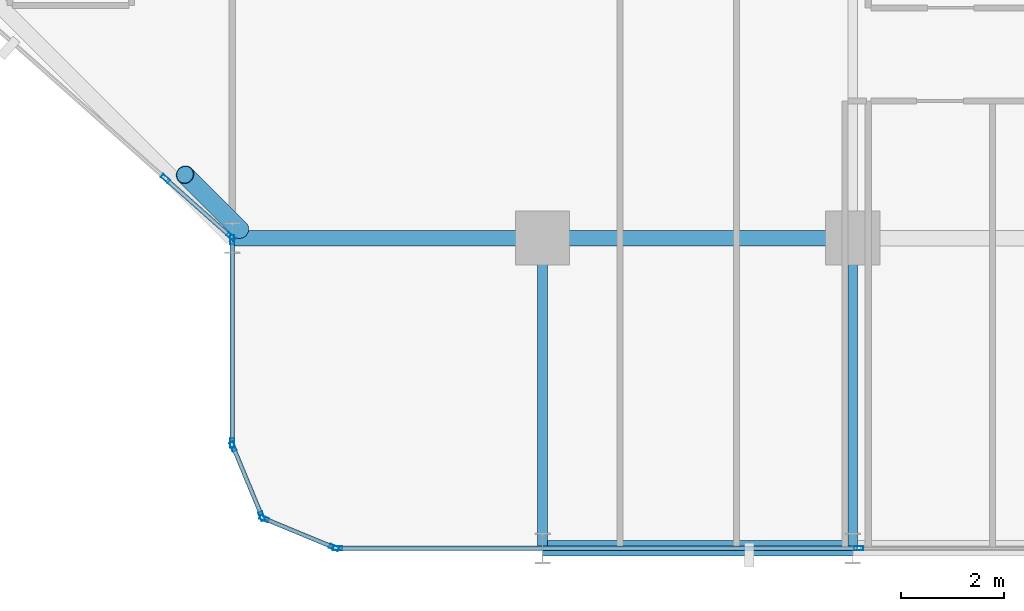
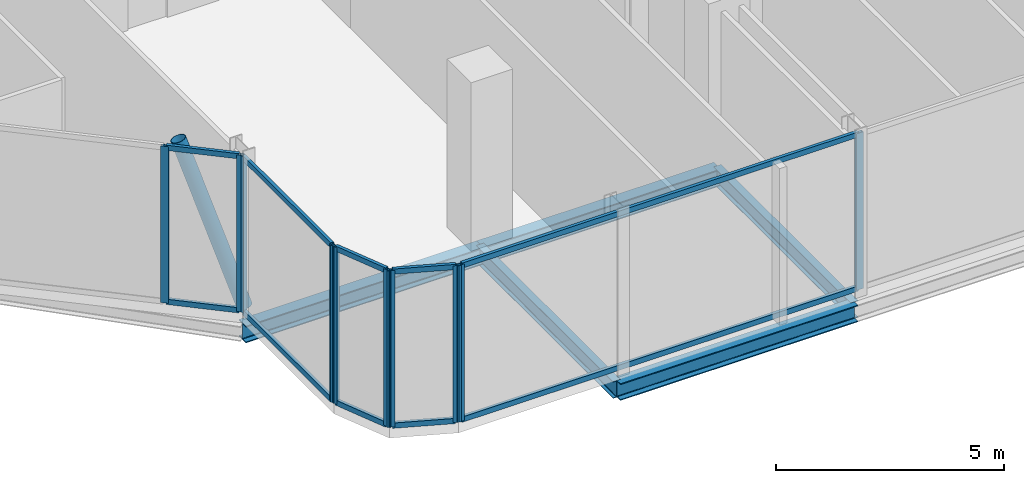
# One storey, part 4 of 30: 21 members, 5 beams, 5 elements without a shape of their own.
"""IFC4 building model written with IfcOpenShell, lengths in metres."""

from ifc_helpers import new_model, si_unit, direction, frame, origin, origin_2d, place, context, subcontext, project, spatial, hollow_rectangle, hollow_circle, i_section, extrude, material, layer, layer_set, material_profile, profile_set, type_object, element, aggregate, save


model = new_model("IFC4")

# Units and contexts
model_context = context("Model", 3, precision=1e-05, world=origin(), true_north=direction((0.0, 1.0)))
body_context = subcontext(model_context, "Body", "Model", "MODEL_VIEW")
ifc_project = project(units=[si_unit("LENGTHUNIT", "METRE"), si_unit("AREAUNIT", "SQUARE_METRE"), si_unit("VOLUMEUNIT", "CUBIC_METRE"), si_unit("PLANEANGLEUNIT", "RADIAN"), si_unit("MASSUNIT", "GRAM", prefix="KILO")], contexts=[model_context])

# Site, building, storey
site_placement = place(None, origin())
site = spatial("IfcSite", under=ifc_project, at=site_placement, CompositionType="ELEMENT")
building_placement = place(site_placement, origin())
building = spatial("IfcBuilding", under=site, at=building_placement, Name="Keshet Zoharim Tower", CompositionType="ELEMENT")
storey_placement = place(building_placement, frame((0.0, 0.0, 86.39990234375)))
storey = spatial("IfcBuildingStorey", under=building, at=storey_placement, Name="L20", CompositionType="ELEMENT", Elevation=86.39990234375)

# Beams
ifc_material_1 = material(Name="Steel S355", Category="steel")
ifc_material_profile_1 = material_profile(ifc_material_1, i_section(OverallWidth=0.18994140625, OverallDepth=0.449951171875, WebThickness=0.009521484375, FlangeThickness=0.0146484375, FilletRadius=0.02099609375, at=origin_2d()), Name="IPE450")
ifc_profile_set_1 = profile_set([ifc_material_profile_1], Name="Steel S355")
beam_type_1 = type_object("IfcBeamType", Name="BM-PRI-IP450", PredefinedType="BEAM", material=ifc_profile_set_1)
for number, where, z_axis, x_axis, name in (
    (1, (27.0, 0.699951171875, -0.539794921875), (0.0, 1.0, 0.0), (-1.0, 0.0, 0.0), "L20 Primary Girder Y-004"),
    (2, (33.0, 0.699951171875, -0.539794921875), (0.0, 1.0, 0.0), (-1.0, 0.0, 0.0), "L20 Primary Girder Y-005"),
):
    element("IfcBeam", number, at=place(storey_placement, frame(where, z_axis=z_axis, x_axis=x_axis)), inside=storey, type_object=beam_type_1, Name=name, PredefinedType="BEAM", context=body_context, shape_type="SweptSolid", body=[
        extrude(i_section(OverallWidth=0.18994140625, OverallDepth=0.449951171875, WebThickness=0.009521484375, FlangeThickness=0.0146484375, FilletRadius=0.02099609375, at=origin_2d()), origin(), (0.0, 0.0, 1.0), 6.0),
    ])
ifc_material_profile_2 = material_profile(ifc_material_1, i_section(OverallWidth=0.300048828125, OverallDepth=0.449951171875, WebThickness=0.013916015625, FlangeThickness=0.02587890625, FilletRadius=0.027099609375, at=origin_2d()), Name="HEB450")
ifc_profile_set_2 = profile_set([ifc_material_profile_2], Name="Steel S355")
beam_type_2 = type_object("IfcBeamType", Name="BM-WEB-HB450", PredefinedType="BEAM", material=ifc_profile_set_2)
for number, where, z_axis, x_axis, name in (
    (3, (27.0, 0.699951171875, -0.539794921875), (1.0, 0.0, 0.0), (0.0, 1.0, 0.0), "L20 Primary Girder X-001"),
    (4, (21.0, 6.699951171875, -0.539794921875), (1.0, 0.0, 0.0), (0.0, 1.0, 0.0), "L20 Primary Girder X-005"),
    (5, (27.0, 6.699951171875, -0.539794921875), (1.0, 0.0, 0.0), (0.0, 1.0, 0.0), "L20 Primary Girder X-006"),
):
    element("IfcBeam", number, at=place(storey_placement, frame(where, z_axis=z_axis, x_axis=x_axis)), inside=storey, type_object=beam_type_2, Name=name, PredefinedType="BEAM", context=body_context, shape_type="SweptSolid", body=[
        extrude(i_section(OverallWidth=0.300048828125, OverallDepth=0.449951171875, WebThickness=0.013916015625, FlangeThickness=0.02587890625, FilletRadius=0.027099609375, at=origin_2d()), origin(), (0.0, 0.0, 1.0), 6.0),
    ])

# Curtain wall, members
ifc_material_2 = material(Name="Aluminium 6063-T6", Category="aluminium")
ifc_layer = layer(ifc_material_2, 0.159912109375)
ifc_layer_set = layer_set([ifc_layer], Name="Aluminium 6063-T6")
curtain_wall_type = type_object("IfcCurtainWallType", Name="CW-SYS-03", PredefinedType="NOTDEFINED", material=ifc_layer_set)
curtain_wall_1_placement = place(storey_placement, origin())
curtain_wall_1 = element("IfcCurtainWall", 6, at=curtain_wall_1_placement, inside=storey, type_object=curtain_wall_type, Name="L20 Unitised Curtain Wall 03 Part 3", PredefinedType="NOTDEFINED")
ifc_material_profile_3 = material_profile(ifc_material_2, hollow_rectangle(XDim=0.080078125, YDim=0.179931640625, WallThickness=0.00439453125, at=origin_2d()), Name="MUL-80x180")
ifc_profile_set_3 = profile_set([ifc_material_profile_3], Name="Aluminium 6063-T6")
member_type_1 = type_object("IfcMemberType", Name="CWM-M18", PredefinedType="MULLION", material=ifc_profile_set_3)
member_1_placement = place(storey_placement, frame((33.1162109375, 0.699951171875, 0.0), z_axis=(0.0, 0.0, 1.0), x_axis=(0.0, -1.0, 0.0)))
member_1 = element("IfcMember", 7, at=member_1_placement, type_object=member_type_1, Name="CW-03 mullion 2", PredefinedType="MULLION", context=body_context, shape_type="SweptSolid", body=[
    extrude(hollow_rectangle(XDim=0.080078125, YDim=0.179931640625, WallThickness=0.00439453125, at=origin_2d()), origin(), (0.0, 0.0, 1.0), 4.18505859375),
])
member_2_placement = place(storey_placement, frame((23.034912109375, 0.699951171875, 0.0), z_axis=(0.0, 0.0, 1.0), x_axis=(0.0, -1.0, 0.0)))
member_2 = element("IfcMember", 8, at=member_2_placement, type_object=member_type_1, Name="CW-03 mullion 3", PredefinedType="MULLION", context=body_context, shape_type="SweptSolid", body=[
    extrude(hollow_rectangle(XDim=0.080078125, YDim=0.179931640625, WallThickness=0.00439453125, at=origin_2d()), origin(), (0.0, 0.0, 1.0), 4.18505859375),
])

curtain_wall_2_placement = place(storey_placement, origin())
curtain_wall_2 = element("IfcCurtainWall", 9, at=curtain_wall_2_placement, inside=storey, type_object=curtain_wall_type, Name="L20 Unitised Curtain Wall 04", PredefinedType="NOTDEFINED")
member_3_placement = place(storey_placement, frame((22.9677734375, 0.71337890625, 0.0), z_axis=(0.0, 0.0, 1.0), x_axis=(-0.382851849847, -0.92380975372, 0.0)))
member_3 = element("IfcMember", 10, at=member_3_placement, type_object=member_type_1, Name="CW-03 mullion 1", PredefinedType="MULLION", context=body_context, shape_type="SweptSolid", body=[
    extrude(hollow_rectangle(XDim=0.080078125, YDim=0.179931640625, WallThickness=0.00439453125, at=origin_2d()), origin(), (0.0, 0.0, 1.0), 4.18505859375),
])
member_4_placement = place(storey_placement, frame((21.618408203125, 1.272705078125, 0.0), z_axis=(0.0, 0.0, 1.0), x_axis=(-0.382851849847, -0.92380975372, 0.0)))
member_4 = element("IfcMember", 11, at=member_4_placement, type_object=member_type_1, Name="CW-03 mullion 2", PredefinedType="MULLION", context=body_context, shape_type="SweptSolid", body=[
    extrude(hollow_rectangle(XDim=0.080078125, YDim=0.179931640625, WallThickness=0.00439453125, at=origin_2d()), origin(), (0.0, 0.0, 1.0), 4.18505859375),
])

curtain_wall_3_placement = place(storey_placement, origin())
curtain_wall_3 = element("IfcCurtainWall", 12, at=curtain_wall_3_placement, inside=storey, type_object=curtain_wall_type, Name="L20 Unitised Curtain Wall 05", PredefinedType="NOTDEFINED")
member_5_placement = place(storey_placement, frame((21.572509765625, 1.318359375, 0.0), z_axis=(0.0, 0.0, 1.0), x_axis=(-0.92380975372, -0.382851849847, 0.0)))
member_5 = element("IfcMember", 13, at=member_5_placement, type_object=member_type_1, Name="CW-03 mullion 1", PredefinedType="MULLION", context=body_context, shape_type="SweptSolid", body=[
    extrude(hollow_rectangle(XDim=0.080078125, YDim=0.179931640625, WallThickness=0.00439453125, at=origin_2d()), origin(), (0.0, 0.0, 1.0), 4.18505859375),
])
member_6_placement = place(storey_placement, frame((21.013427734375, 2.667724609375, 0.0), z_axis=(0.0, 0.0, 1.0), x_axis=(-0.92380975372, -0.382851849847, 0.0)))
member_6 = element("IfcMember", 14, at=member_6_placement, type_object=member_type_1, Name="CW-03 mullion 2", PredefinedType="MULLION", context=body_context, shape_type="SweptSolid", body=[
    extrude(hollow_rectangle(XDim=0.080078125, YDim=0.179931640625, WallThickness=0.00439453125, at=origin_2d()), origin(), (0.0, 0.0, 1.0), 4.18505859375),
])

curtain_wall_4_placement = place(storey_placement, origin())
curtain_wall_4 = element("IfcCurtainWall", 15, at=curtain_wall_4_placement, inside=storey, type_object=curtain_wall_type, Name="L20 Unitised Curtain Wall 06", PredefinedType="NOTDEFINED")
member_7_placement = place(storey_placement, frame((21.0, 2.735107421875, 0.0), z_axis=(0.0, 0.0, 1.0), x_axis=(-1.0, 0.0, 0.0)))
member_7 = element("IfcMember", 16, at=member_7_placement, type_object=member_type_1, Name="CW-03 mullion 1", PredefinedType="MULLION", context=body_context, shape_type="SweptSolid", body=[
    extrude(hollow_rectangle(XDim=0.080078125, YDim=0.179931640625, WallThickness=0.00439453125, at=origin_2d()), origin(), (0.0, 0.0, 1.0), 4.18505859375),
])
member_8_placement = place(storey_placement, frame((21.0, 6.6650390625, 0.0), z_axis=(0.0, 0.0, 1.0), x_axis=(-1.0, 0.0, 0.0)))
member_8 = element("IfcMember", 17, at=member_8_placement, type_object=member_type_1, Name="CW-03 mullion 2", PredefinedType="MULLION", context=body_context, shape_type="SweptSolid", body=[
    extrude(hollow_rectangle(XDim=0.080078125, YDim=0.179931640625, WallThickness=0.00439453125, at=origin_2d()), origin(), (0.0, 0.0, 1.0), 4.18505859375),
])

curtain_wall_5_placement = place(storey_placement, origin())
curtain_wall_5 = element("IfcCurtainWall", 18, at=curtain_wall_5_placement, inside=storey, type_object=curtain_wall_type, Name="L20 Unitised Curtain Wall 07", PredefinedType="NOTDEFINED")
member_9_placement = place(storey_placement, frame((20.973876953125, 6.72314453125, 0.0), z_axis=(0.0, 0.0, 1.0), x_axis=(-0.664360322484, -0.747412444309, 0.0)))
member_9 = element("IfcMember", 19, at=member_9_placement, type_object=member_type_1, Name="CW-03 mullion 1", PredefinedType="MULLION", context=body_context, shape_type="SweptSolid", body=[
    extrude(hollow_rectangle(XDim=0.080078125, YDim=0.179931640625, WallThickness=0.00439453125, at=origin_2d()), origin(), (0.0, 0.0, 1.0), 4.18505859375),
])
member_10_placement = place(storey_placement, frame((19.706787109375, 7.849365234375, 0.0), z_axis=(0.0, 0.0, 1.0), x_axis=(-0.664360322484, -0.747412444309, 0.0)))
member_10 = element("IfcMember", 20, at=member_10_placement, type_object=member_type_1, Name="CW-03 mullion 2", PredefinedType="MULLION", context=body_context, shape_type="SweptSolid", body=[
    extrude(hollow_rectangle(XDim=0.080078125, YDim=0.179931640625, WallThickness=0.00439453125, at=origin_2d()), origin(), (0.0, 0.0, 1.0), 4.18505859375),
])

# Member
ifc_material_profile_4 = material_profile(ifc_material_2, hollow_rectangle(XDim=0.080078125, YDim=0.139892578125, WallThickness=0.00390625, at=origin_2d()), Name="TRN-80x140")
ifc_profile_set_4 = profile_set([ifc_material_profile_4], Name="Aluminium 6063-T6")
member_type_2 = type_object("IfcMemberType", Name="CWT-T14", PredefinedType="USERDEFINED", material=ifc_profile_set_4)
member_11_placement = place(storey_placement, frame((33.081298828125, 0.699951171875, 0.03515625), z_axis=(-1.0, 0.0, 0.0), x_axis=(0.0, -1.0, 0.0)))
member_11 = element("IfcMember", 21, at=member_11_placement, type_object=member_type_2, Name="CW-03 transom 2.1", ObjectType="TRANSOM", PredefinedType="USERDEFINED", context=body_context, shape_type="SweptSolid", body=[
    extrude(hollow_rectangle(XDim=0.080078125, YDim=0.139892578125, WallThickness=0.00390625, at=origin_2d()), origin(), (0.0, 0.0, 1.0), 10.01123046875),
])

member_12_placement = place(storey_placement, frame((33.081298828125, 0.699951171875, 4.150146484375), z_axis=(-1.0, 0.0, 0.0), x_axis=(0.0, -1.0, 0.0)))
member_12 = element("IfcMember", 22, at=member_12_placement, type_object=member_type_2, Name="CW-03 transom 2.2", ObjectType="TRANSOM", PredefinedType="USERDEFINED", context=body_context, shape_type="SweptSolid", body=[
    extrude(hollow_rectangle(XDim=0.080078125, YDim=0.139892578125, WallThickness=0.00390625, at=origin_2d()), origin(), (0.0, 0.0, 1.0), 10.01123046875),
])

aggregate(curtain_wall_1, [member_1, member_2, member_11, member_12])

member_13_placement = place(storey_placement, frame((22.935302734375, 0.726806640625, 0.03515625), z_axis=(-0.92379209995, 0.382894445076, 0.0), x_axis=(-0.382894445076, -0.92379209995, 0.0)))
member_13 = element("IfcMember", 23, at=member_13_placement, type_object=member_type_2, Name="CW-03 transom 1.1", ObjectType="TRANSOM", PredefinedType="USERDEFINED", context=body_context, shape_type="SweptSolid", body=[
    extrude(hollow_rectangle(XDim=0.080078125, YDim=0.139892578125, WallThickness=0.00390625, at=origin_2d()), origin(), (0.0, 0.0, 1.0), 1.390625),
])

member_14_placement = place(storey_placement, frame((22.935302734375, 0.726806640625, 4.150146484375), z_axis=(-0.92379209995, 0.382894445076, 0.0), x_axis=(-0.382894445076, -0.92379209995, 0.0)))
member_14 = element("IfcMember", 24, at=member_14_placement, type_object=member_type_2, Name="CW-03 transom 1.2", ObjectType="TRANSOM", PredefinedType="USERDEFINED", context=body_context, shape_type="SweptSolid", body=[
    extrude(hollow_rectangle(XDim=0.080078125, YDim=0.139892578125, WallThickness=0.00390625, at=origin_2d()), origin(), (0.0, 0.0, 1.0), 1.390625),
])

aggregate(curtain_wall_2, [member_3, member_4, member_13, member_14])

member_15_placement = place(storey_placement, frame((21.55908203125, 1.3505859375, 0.03515625), z_axis=(-0.382744609247, 0.923854189844, 0.0), x_axis=(-0.923854189844, -0.382744609247, 0.0)))
member_15 = element("IfcMember", 25, at=member_15_placement, type_object=member_type_2, Name="CW-03 transom 1.1", ObjectType="TRANSOM", PredefinedType="USERDEFINED", context=body_context, shape_type="SweptSolid", body=[
    extrude(hollow_rectangle(XDim=0.080078125, YDim=0.139892578125, WallThickness=0.00390625, at=origin_2d()), origin(), (0.0, 0.0, 1.0), 1.390625),
])

member_16_placement = place(storey_placement, frame((21.55908203125, 1.3505859375, 4.150146484375), z_axis=(-0.382744609247, 0.923854189844, 0.0), x_axis=(-0.923854189844, -0.382744609247, 0.0)))
member_16 = element("IfcMember", 26, at=member_16_placement, type_object=member_type_2, Name="CW-03 transom 1.2", ObjectType="TRANSOM", PredefinedType="USERDEFINED", context=body_context, shape_type="SweptSolid", body=[
    extrude(hollow_rectangle(XDim=0.080078125, YDim=0.139892578125, WallThickness=0.00390625, at=origin_2d()), origin(), (0.0, 0.0, 1.0), 1.390625),
])

aggregate(curtain_wall_3, [member_5, member_6, member_15, member_16])

member_17_placement = place(storey_placement, frame((21.0, 2.77001953125, 0.03515625), z_axis=(0.0, 1.0, 0.0), x_axis=(-1.0, 0.0, 0.0)))
member_17 = element("IfcMember", 27, at=member_17_placement, type_object=member_type_2, Name="CW-03 transom 1.1", ObjectType="TRANSOM", PredefinedType="USERDEFINED", context=body_context, shape_type="SweptSolid", body=[
    extrude(hollow_rectangle(XDim=0.080078125, YDim=0.139892578125, WallThickness=0.00390625, at=origin_2d()), origin(), (0.0, 0.0, 1.0), 3.85986328125),
])

member_18_placement = place(storey_placement, frame((21.0, 2.77001953125, 4.150146484375), z_axis=(0.0, 1.0, 0.0), x_axis=(-1.0, 0.0, 0.0)))
member_18 = element("IfcMember", 28, at=member_18_placement, type_object=member_type_2, Name="CW-03 transom 1.2", ObjectType="TRANSOM", PredefinedType="USERDEFINED", context=body_context, shape_type="SweptSolid", body=[
    extrude(hollow_rectangle(XDim=0.080078125, YDim=0.139892578125, WallThickness=0.00390625, at=origin_2d()), origin(), (0.0, 0.0, 1.0), 3.85986328125),
])

aggregate(curtain_wall_4, [member_7, member_8, member_17, member_18])

member_19_placement = place(storey_placement, frame((20.94775390625, 6.74658203125, 0.03515625), z_axis=(-0.747492192588, 0.664270593976, 0.0), x_axis=(-0.664270593976, -0.747492192588, 0.0)))
member_19 = element("IfcMember", 29, at=member_19_placement, type_object=member_type_2, Name="CW-03 transom 1.1", ObjectType="TRANSOM", PredefinedType="USERDEFINED", context=body_context, shape_type="SweptSolid", body=[
    extrude(hollow_rectangle(XDim=0.080078125, YDim=0.139892578125, WallThickness=0.00390625, at=origin_2d()), origin(), (0.0, 0.0, 1.0), 1.625244140625),
])

member_20_placement = place(storey_placement, frame((20.94775390625, 6.74658203125, 4.150146484375), z_axis=(-0.747492192588, 0.664270593976, 0.0), x_axis=(-0.664270593976, -0.747492192588, 0.0)))
member_20 = element("IfcMember", 30, at=member_20_placement, type_object=member_type_2, Name="CW-03 transom 1.2", ObjectType="TRANSOM", PredefinedType="USERDEFINED", context=body_context, shape_type="SweptSolid", body=[
    extrude(hollow_rectangle(XDim=0.080078125, YDim=0.139892578125, WallThickness=0.00390625, at=origin_2d()), origin(), (0.0, 0.0, 1.0), 1.625244140625),
])

aggregate(curtain_wall_5, [member_9, member_10, member_19, member_20])

ifc_material_profile_5 = material_profile(ifc_material_1, hollow_circle(Radius=0.177734375, WallThickness=0.012451171875, at=origin_2d()), Name="CHS355x12.5")
ifc_profile_set_5 = profile_set([ifc_material_profile_5], Name="Steel S355")
member_type_3 = type_object("IfcMemberType", Name="MB-BR-C355", PredefinedType="BRACE", material=ifc_profile_set_5)
member_21_placement = place(storey_placement, frame((21.14599609375, 6.864013671875, 0.0), z_axis=(-0.238653061419, 0.238653061419, 0.941323234894), x_axis=(-0.707106781187, -0.707106781187, 0.0)))
element("IfcMember", 31, at=member_21_placement, inside=storey, type_object=member_type_3, Name="L20 Perimeter Tube Brace 01", PredefinedType="BRACE", context=body_context, shape_type="SweptSolid", body=[
    extrude(hollow_circle(Radius=0.177734375, WallThickness=0.012451171875, at=origin_2d()), origin(), (0.0, 0.0, 1.0), 4.446044921875),
])

save(model, "model.ifc")
